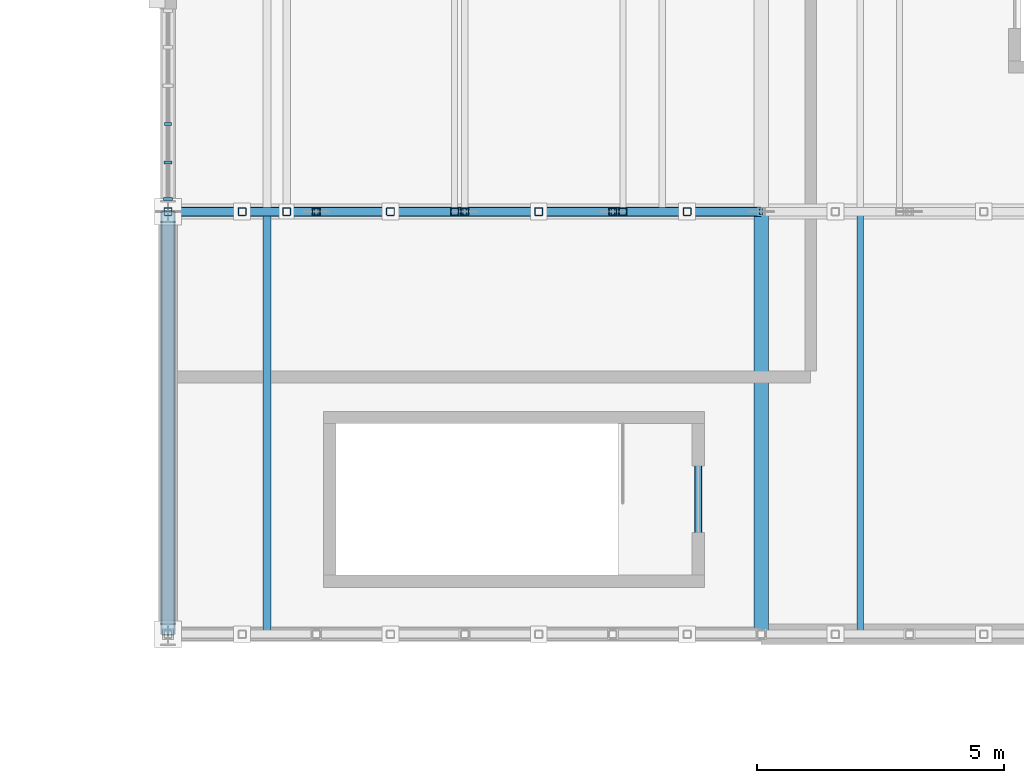
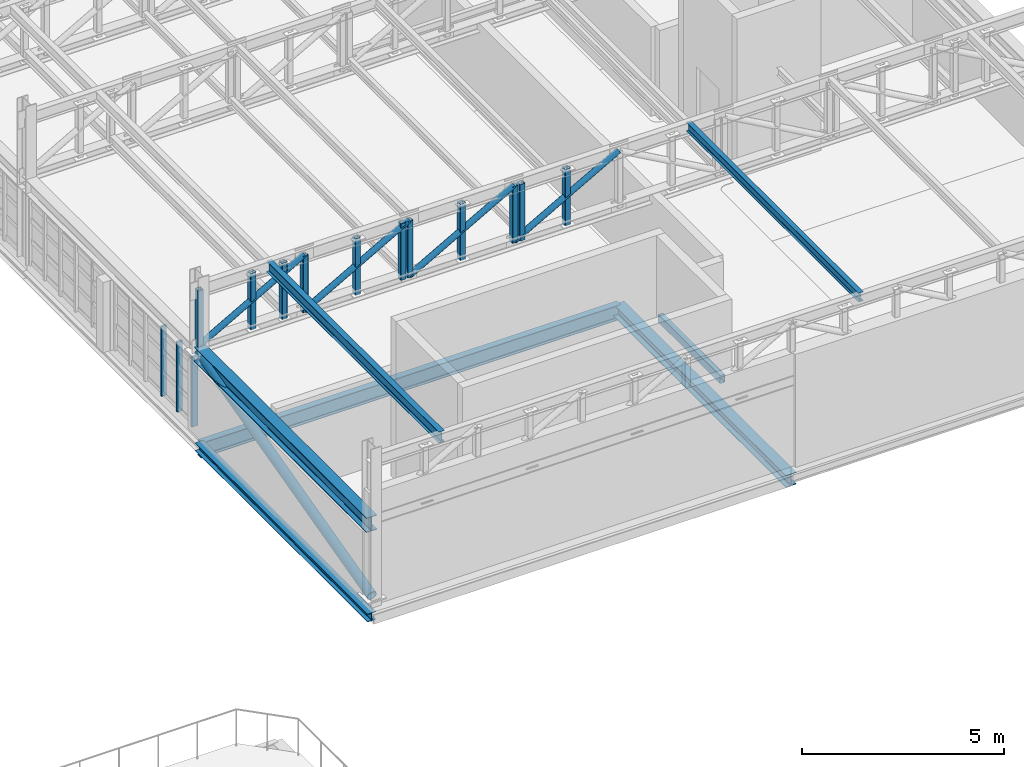
# One storey, part 32 of 128: 21 members, 5 beams, 1 element without a shape of its own.
"""IFC4 building model written with IfcOpenShell, lengths in metres."""

from ifc_helpers import new_model, si_unit, direction, frame, origin, origin_2d, place, context, subcontext, project, spatial, rectangle, hollow_rectangle, hollow_circle, i_section, extrude, material, material_profile, profile_set, type_object, element, aggregate, save


model = new_model("IFC4")

# Units and contexts
model_context = context("Model", 3, precision=1e-05, world=origin(), true_north=direction((0.0, 1.0)))
body_context = subcontext(model_context, "Body", "Model", "MODEL_VIEW")
ifc_project = project(units=[si_unit("LENGTHUNIT", "METRE"), si_unit("AREAUNIT", "SQUARE_METRE"), si_unit("VOLUMEUNIT", "CUBIC_METRE"), si_unit("PLANEANGLEUNIT", "RADIAN"), si_unit("MASSUNIT", "GRAM", prefix="KILO")], contexts=[model_context])

# Site, building, storey
site_placement = place(None, origin())
site = spatial("IfcSite", under=ifc_project, at=site_placement, CompositionType="ELEMENT")
building_placement = place(site_placement, origin())
building = spatial("IfcBuilding", under=site, at=building_placement, Name="Serraforn Aerial Cableway Station", CompositionType="ELEMENT")
storey_placement = place(building_placement, frame((0.0, 0.0, 9.0)))
storey = spatial("IfcBuildingStorey", under=building, at=storey_placement, Name="L02", CompositionType="ELEMENT", Elevation=9.0)

# Beams
ifc_material_1 = material(Name="Steel S355JR", Category="steel")
ifc_material_profile_1 = material_profile(ifc_material_1, i_section(OverallWidth=0.239990234375, OverallDepth=0.239990234375, WebThickness=0.007568359375, FlangeThickness=0.011962890625, FilletRadius=0.02099609375, at=origin_2d()), Name="HEA 240")
ifc_profile_set_1 = profile_set([ifc_material_profile_1], Name="Steel S355JR")
beam_type_1 = type_object("IfcBeamType", Name="BM-ST-HEA240", PredefinedType="BEAM", material=ifc_profile_set_1)
beam_1_placement = place(storey_placement, frame((144.0, 45.60009765625, -0.43994140625), z_axis=(0.0, 1.0, 0.0), x_axis=(-1.0, 0.0, 0.0)))
element("IfcBeam", 1, at=beam_1_placement, inside=storey, type_object=beam_type_1, Name="Grid Girder Y EG L02 X1-1", PredefinedType="BEAM", context=body_context, shape_type="SweptSolid", body=[
    extrude(i_section(OverallWidth=0.239990234375, OverallDepth=0.239990234375, WebThickness=0.007568359375, FlangeThickness=0.011962890625, FilletRadius=0.02099609375, at=origin_2d()), origin(), (0.0, 0.0, 1.0), 8.5498046875),
])
ifc_material_profile_2 = material_profile(ifc_material_1, i_section(OverallWidth=0.300048828125, OverallDepth=0.360107421875, WebThickness=0.010009765625, FlangeThickness=0.017578125, FilletRadius=0.027099609375, at=origin_2d()), Name="HEA 360")
ifc_profile_set_2 = profile_set([ifc_material_profile_2], Name="Steel S355JR")
beam_type_2 = type_object("IfcBeamType", Name="BM-ST-HEA360", PredefinedType="BEAM", material=ifc_profile_set_2)
beam_2_placement = place(storey_placement, frame((156.0, 45.60009765625, -0.5), z_axis=(0.0, 1.0, 0.0), x_axis=(-1.0, 0.0, 0.0)))
element("IfcBeam", 2, at=beam_2_placement, inside=storey, type_object=beam_type_2, Name="Grid Girder Y EG L02 X2-1", PredefinedType="BEAM", context=body_context, shape_type="SweptSolid", body=[
    extrude(i_section(OverallWidth=0.300048828125, OverallDepth=0.360107421875, WebThickness=0.010009765625, FlangeThickness=0.017578125, FilletRadius=0.027099609375, at=origin_2d()), origin(), (0.0, 0.0, 1.0), 8.5498046875),
])
ifc_material_2 = material(Name="Steel S355J2", Category="steel")
ifc_material_profile_3 = material_profile(ifc_material_2, i_section(OverallWidth=0.300048828125, OverallDepth=0.449951171875, WebThickness=0.013916015625, FlangeThickness=0.02587890625, FilletRadius=0.027099609375, at=origin_2d()), Name="HEB 450")
ifc_profile_set_3 = profile_set([ifc_material_profile_3], Name="Steel S355J2")
beam_type_3 = type_object("IfcBeamType", Name="BM-ST-HEB450", PredefinedType="USERDEFINED", material=ifc_profile_set_3)
beam_3_placement = place(storey_placement, frame((144.0, 45.60009765625, 2.375), z_axis=(0.0, 1.0, 0.0), x_axis=(-1.0, 0.0, 0.0)))
element("IfcBeam", 3, at=beam_3_placement, inside=storey, type_object=beam_type_3, Name="Garage Truss Support Girder W-1", ObjectType="GIRDER", PredefinedType="USERDEFINED", context=body_context, shape_type="SweptSolid", body=[
    extrude(i_section(OverallWidth=0.300048828125, OverallDepth=0.449951171875, WebThickness=0.013916015625, FlangeThickness=0.02587890625, FilletRadius=0.027099609375, at=origin_2d()), origin(), (0.0, 0.0, 1.0), 8.5498046875),
])
ifc_material_profile_4 = material_profile(ifc_material_1, i_section(OverallWidth=0.18994140625, OverallDepth=0.449951171875, WebThickness=0.009521484375, FlangeThickness=0.0146484375, FilletRadius=0.02099609375, at=origin_2d()), Name="IPE 450")
ifc_profile_set_4 = profile_set([ifc_material_profile_4], Name="Steel S355JR")
beam_type_4 = type_object("IfcBeamType", Name="BM-ST-IPE450", PredefinedType="BEAM", material=ifc_profile_set_4)
beam_4_placement = place(storey_placement, frame((144.0, 54.14990234375, -0.544921875), z_axis=(1.0, 0.0, 0.0), x_axis=(0.0, 1.0, 0.0)))
element("IfcBeam", 4, at=beam_4_placement, inside=storey, type_object=beam_type_4, Name="Grid Girder X EG L02 Y2-1", PredefinedType="BEAM", context=body_context, shape_type="SweptSolid", body=[
    extrude(i_section(OverallWidth=0.18994140625, OverallDepth=0.449951171875, WebThickness=0.009521484375, FlangeThickness=0.0146484375, FilletRadius=0.02099609375, at=origin_2d()), origin(), (0.0, 0.0, 1.0), 12.0),
])
ifc_material_profile_5 = material_profile(ifc_material_2, hollow_rectangle(XDim=0.14990234375, YDim=0.25, WallThickness=0.010009765625, InnerFilletRadius=0.010009765625, OuterFilletRadius=0.02001953125, at=origin_2d()), Name="RHS 250x150x10.0")
ifc_profile_set_5 = profile_set([ifc_material_profile_5], Name="Steel S355J2")
beam_type_5 = type_object("IfcBeamType", Name="BM-ST-RHS250", PredefinedType="LINTEL", material=ifc_profile_set_5)
beam_5_placement = place(storey_placement, frame((154.72509765625, 49.860107421875, 2.27490234375), z_axis=(0.0, -1.0, 0.0), x_axis=(1.0, 0.0, 0.0)))
element("IfcBeam", 5, at=beam_5_placement, inside=storey, type_object=beam_type_5, Name="Stair Core Door Lintel D-S36", PredefinedType="LINTEL", context=body_context, shape_type="SweptSolid", body=[
    extrude(hollow_rectangle(XDim=0.14990234375, YDim=0.25, WallThickness=0.010009765625, InnerFilletRadius=0.010009765625, OuterFilletRadius=0.02001953125, at=origin_2d()), origin(), (0.0, 0.0, 1.0), 3.06005859375),
])

# Curtain wall, members
ifc_material_3 = material(Name="Anodised bronze unitised curtain wall")
curtain_wall_type = type_object("IfcCurtainWallType", Name="CW-SYS-24", PredefinedType="USERDEFINED", material=ifc_material_3)
curtain_wall_placement = place(storey_placement, origin())
curtain_wall = element("IfcCurtainWall", 6, at=curtain_wall_placement, inside=storey, type_object=curtain_wall_type, Name="Unitised Curtain Wall CW-EG-L02-W2B", ObjectType="UNITISED CURTAIN WALL", PredefinedType="USERDEFINED")
ifc_material_4 = material(Name="Anodised bronze extruded aluminium", Category="aluminium")
ifc_material_profile_6 = material_profile(ifc_material_4, rectangle(XDim=0.054931640625, YDim=0.139892578125, at=origin_2d()), Name="CW MULLION 55x140")
ifc_profile_set_6 = profile_set([ifc_material_profile_6], Name="Anodised bronze extruded aluminium")
member_type_1 = type_object("IfcMemberType", Name="CW-MUL-1", PredefinedType="MULLION", material=ifc_profile_set_6)
member_1_placement = place(storey_placement, frame((144.0, 55.921875, 0.0), z_axis=(0.0, 0.0, 1.0), x_axis=(0.0, -1.0, 0.0)))
member_1 = element("IfcMember", 7, at=member_1_placement, type_object=member_type_1, Name="Curtain Wall Mullion CW-EG-L02-W2B-M4", PredefinedType="MULLION", context=body_context, shape_type="SweptSolid", body=[
    extrude(rectangle(XDim=0.054931640625, YDim=0.139892578125, at=origin_2d()), origin(), (0.0, 0.0, 1.0), 2.1201171875),
])
ifc_material_profile_7 = material_profile(ifc_material_4, rectangle(XDim=0.06005859375, YDim=0.159912109375, at=origin_2d()), Name="CW MULLION 60x160")
ifc_profile_set_7 = profile_set([ifc_material_profile_7], Name="Anodised bronze extruded aluminium")
member_type_2 = type_object("IfcMemberType", Name="CW-MUL-2", PredefinedType="MULLION", material=ifc_profile_set_7)
member_2_placement = place(storey_placement, frame((144.0, 55.1474609375, 0.0), z_axis=(0.0, 0.0, 1.0), x_axis=(0.0, -1.0, 0.0)))
member_2 = element("IfcMember", 8, at=member_2_placement, type_object=member_type_2, Name="Curtain Wall Mullion CW-EG-L02-W2B-M5", PredefinedType="MULLION", context=body_context, shape_type="SweptSolid", body=[
    extrude(rectangle(XDim=0.06005859375, YDim=0.159912109375, at=origin_2d()), origin(), (0.0, 0.0, 1.0), 2.1201171875),
])
ifc_material_profile_8 = material_profile(ifc_material_4, rectangle(XDim=0.06494140625, YDim=0.175048828125, at=origin_2d()), Name="CW MULLION 65x175")
ifc_profile_set_8 = profile_set([ifc_material_profile_8], Name="Anodised bronze extruded aluminium")
member_type_3 = type_object("IfcMemberType", Name="CW-MUL-3", PredefinedType="MULLION", material=ifc_profile_set_8)
member_3_placement = place(storey_placement, frame((144.0, 54.405517578125, 0.0), z_axis=(0.0, 0.0, 1.0), x_axis=(0.0, -1.0, 0.0)))
member_3 = element("IfcMember", 9, at=member_3_placement, type_object=member_type_3, Name="Curtain Wall Mullion CW-EG-L02-W2B-M6", PredefinedType="MULLION", context=body_context, shape_type="SweptSolid", body=[
    extrude(rectangle(XDim=0.06494140625, YDim=0.175048828125, at=origin_2d()), origin(), (0.0, 0.0, 1.0), 2.1201171875),
])
aggregate(curtain_wall, [member_1, member_2, member_3])

# Members
ifc_material_profile_9 = material_profile(ifc_material_2, hollow_circle(Radius=0.084228515625, WallThickness=0.008056640625, at=origin_2d()), Name="CHS 168.3x8.0")
ifc_profile_set_9 = profile_set([ifc_material_profile_9], Name="Steel S355J2")
member_type_4 = type_object("IfcMemberType", Name="MEM-DG-CHS168", PredefinedType="BRACE", material=ifc_profile_set_9)
for number, where, z_axis, x_axis, name in (
    (10, (144.0, 54.14990234375, 2.60009765625), (0.871272396707, 0.0, 0.490799766439), (0.0, 1.0, 0.0), "Garage Truss GT-02 Diagonal 1"),
    (11, (147.0, 54.14990234375, 2.60009765625), (0.871272396707, 0.0, 0.490799766439), (0.0, 1.0, 0.0), "Garage Truss GT-02 Diagonal 2"),
    (12, (150.0, 54.14990234375, 2.60009765625), (0.871272396707, 0.0, 0.490799766439), (0.0, 1.0, 0.0), "Garage Truss GT-02 Diagonal 3"),
    (13, (153.0, 54.14990234375, 2.60009765625), (0.871272396707, 0.0, 0.490799766439), (0.0, 1.0, 0.0), "Garage Truss GT-02 Diagonal 4"),
):
    element("IfcMember", number, at=place(storey_placement, frame(where, z_axis=z_axis, x_axis=x_axis)), inside=storey, type_object=member_type_4, Name=name, PredefinedType="BRACE", context=body_context, shape_type="SweptSolid", body=[
        extrude(hollow_circle(Radius=0.084228515625, WallThickness=0.008056640625, at=origin_2d()), origin(), (0.0, 0.0, 1.0), 3.443359375),
    ])
ifc_material_profile_10 = material_profile(ifc_material_1, i_section(OverallWidth=0.135009765625, OverallDepth=0.27001953125, WebThickness=0.006591796875, FlangeThickness=0.01025390625, FilletRadius=0.014892578125, at=origin_2d()), Name="IPE 270")
ifc_profile_set_10 = profile_set([ifc_material_profile_10], Name="Steel S355JR")
member_type_5 = type_object("IfcMemberType", Name="MEM-PR-IPE270", PredefinedType="PURLIN", material=ifc_profile_set_10)
member_4_placement = place(storey_placement, frame((158.0, 45.60009765625, 4.3349609375), z_axis=(0.0, 1.0, 0.0), x_axis=(-1.0, 0.0, 0.0)))
element("IfcMember", 14, at=member_4_placement, inside=storey, type_object=member_type_5, Name="Fleet Garage Roof Purlin 1-4", PredefinedType="PURLIN", context=body_context, shape_type="SweptSolid", body=[
    extrude(i_section(OverallWidth=0.135009765625, OverallDepth=0.27001953125, WebThickness=0.006591796875, FlangeThickness=0.01025390625, FilletRadius=0.014892578125, at=origin_2d()), origin(), (0.0, 0.0, 1.0), 8.5498046875),
])
ifc_material_profile_11 = material_profile(ifc_material_1, i_section(OverallWidth=0.159912109375, OverallDepth=0.330078125, WebThickness=0.007568359375, FlangeThickness=0.011474609375, FilletRadius=0.01806640625, at=origin_2d()), Name="IPE 330")
ifc_profile_set_11 = profile_set([ifc_material_profile_11], Name="Steel S355JR")
member_type_6 = type_object("IfcMemberType", Name="MEM-PR-IPE330", PredefinedType="PURLIN", material=ifc_profile_set_11)
member_5_placement = place(storey_placement, frame((146.0, 45.60009765625, 4.304931640625), z_axis=(0.0, 1.0, 0.0), x_axis=(-1.0, 0.0, 0.0)))
element("IfcMember", 15, at=member_5_placement, inside=storey, type_object=member_type_6, Name="Fleet Garage Roof Purlin 1-1", PredefinedType="PURLIN", context=body_context, shape_type="SweptSolid", body=[
    extrude(i_section(OverallWidth=0.159912109375, OverallDepth=0.330078125, WebThickness=0.007568359375, FlangeThickness=0.011474609375, FilletRadius=0.01806640625, at=origin_2d()), origin(), (0.0, 0.0, 1.0), 8.5498046875),
])
ifc_material_profile_12 = material_profile(ifc_material_2, hollow_rectangle(XDim=0.159912109375, YDim=0.159912109375, WallThickness=0.008056640625, InnerFilletRadius=0.008056640625, OuterFilletRadius=0.01611328125, at=origin_2d()), Name="SHS 160x160x8.0")
ifc_profile_set_12 = profile_set([ifc_material_profile_12], Name="Steel S355J2")
member_type_7 = type_object("IfcMemberType", Name="MEM-VP-SHS160", PredefinedType="STRUT", material=ifc_profile_set_12)
for number, where, z_axis, x_axis, name in (
    (16, (144.0, 54.14990234375, 2.590087890625), (0.0, 0.0, 1.0), (1.0, 0.0, 0.0), "Garage Truss GT-02 Post 1"),
    (17, (147.0, 54.14990234375, 2.590087890625), (0.0, 0.0, 1.0), (1.0, 0.0, 0.0), "Garage Truss GT-02 Post 2"),
    (18, (150.0, 54.14990234375, 2.590087890625), (0.0, 0.0, 1.0), (1.0, 0.0, 0.0), "Garage Truss GT-02 Post 3"),
    (19, (153.0, 54.14990234375, 2.590087890625), (0.0, 0.0, 1.0), (1.0, 0.0, 0.0), "Garage Truss GT-02 Post 4"),
    (20, (146.39990234375, 54.14990234375, 2.590087890625), (0.0, 0.0, 1.0), (1.0, 0.0, 0.0), "Overhead Rail Suspension Post 001"),
    (21, (149.800048828125, 54.14990234375, 2.590087890625), (0.0, 0.0, 1.0), (1.0, 0.0, 0.0), "Overhead Rail Suspension Post 002"),
    (22, (153.199951171875, 54.14990234375, 2.590087890625), (0.0, 0.0, 1.0), (1.0, 0.0, 0.0), "Overhead Rail Suspension Post 003"),
    (23, (145.5, 54.14990234375, 2.590087890625), (0.0, 0.0, 1.0), (1.0, 0.0, 0.0), "Garage Truss GT-02 Sub-Vertical 1"),
    (24, (148.5, 54.14990234375, 2.590087890625), (0.0, 0.0, 1.0), (1.0, 0.0, 0.0), "Garage Truss GT-02 Sub-Vertical 2"),
    (25, (151.5, 54.14990234375, 2.590087890625), (0.0, 0.0, 1.0), (1.0, 0.0, 0.0), "Garage Truss GT-02 Sub-Vertical 3"),
    (26, (154.5, 54.14990234375, 2.590087890625), (0.0, 0.0, 1.0), (1.0, 0.0, 0.0), "Garage Truss GT-02 Sub-Vertical 4"),
):
    element("IfcMember", number, at=place(storey_placement, frame(where, z_axis=z_axis, x_axis=x_axis)), inside=storey, type_object=member_type_7, Name=name, PredefinedType="STRUT", context=body_context, shape_type="SweptSolid", body=[
        extrude(hollow_rectangle(XDim=0.159912109375, YDim=0.159912109375, WallThickness=0.008056640625, InnerFilletRadius=0.008056640625, OuterFilletRadius=0.01611328125, at=origin_2d()), origin(), (0.0, 0.0, 1.0), 1.7099609375),
    ])
ifc_material_profile_13 = material_profile(ifc_material_2, hollow_circle(Radius=0.136474609375, WallThickness=0.012451171875, at=origin_2d()), Name="CHS 273.0x12.5")
ifc_profile_set_13 = profile_set([ifc_material_profile_13], Name="Steel S355J2")
member_type_8 = type_object("IfcMemberType", Name="MEM-WB-CHS273", PredefinedType="BRACE", material=ifc_profile_set_13)
member_6_placement = place(storey_placement, frame((144.0, 45.60009765625, 0.199951171875), z_axis=(0.0, 0.968453853148, 0.24919296604), x_axis=(-1.0, 0.0, 0.0)))
element("IfcMember", 27, at=member_6_placement, inside=storey, type_object=member_type_8, Name="High-Level Lateral Wind Brace 5", PredefinedType="BRACE", context=body_context, shape_type="SweptSolid", body=[
    extrude(hollow_circle(Radius=0.136474609375, WallThickness=0.012451171875, at=origin_2d()), origin(), (0.0, 0.0, 1.0), 8.828369140625),
])

save(model, "model.ifc")
